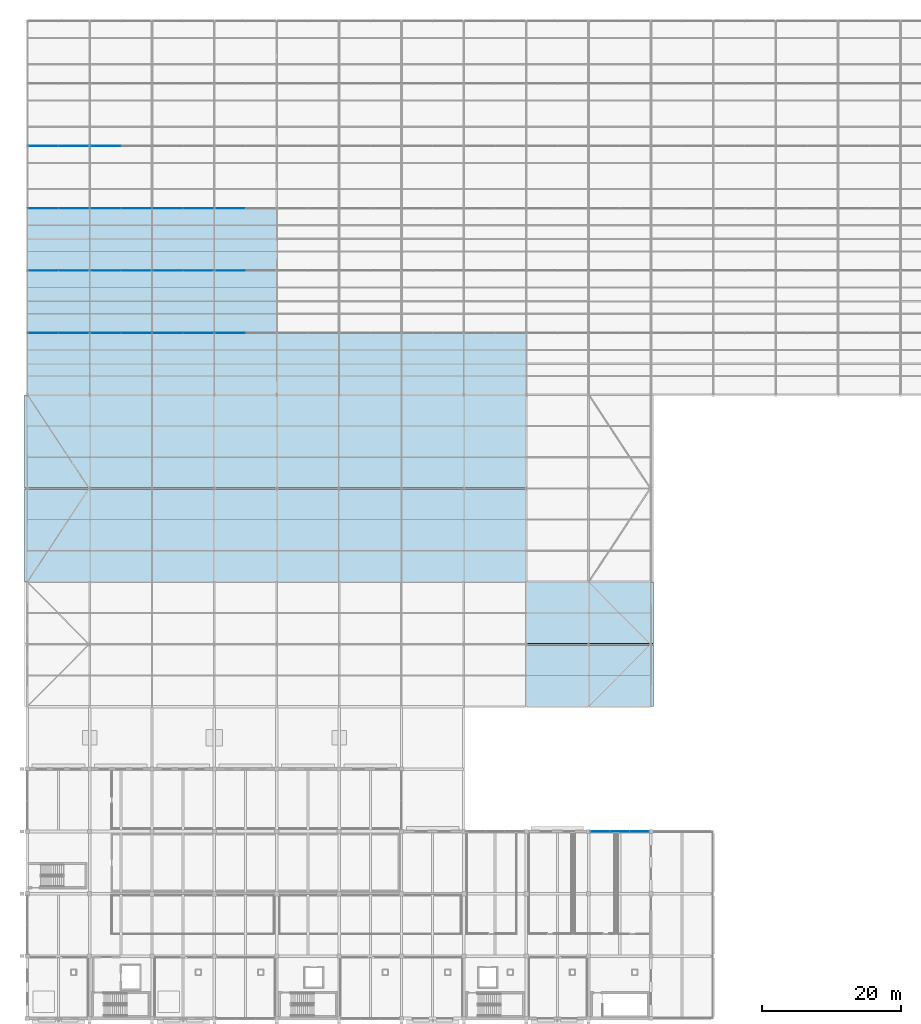
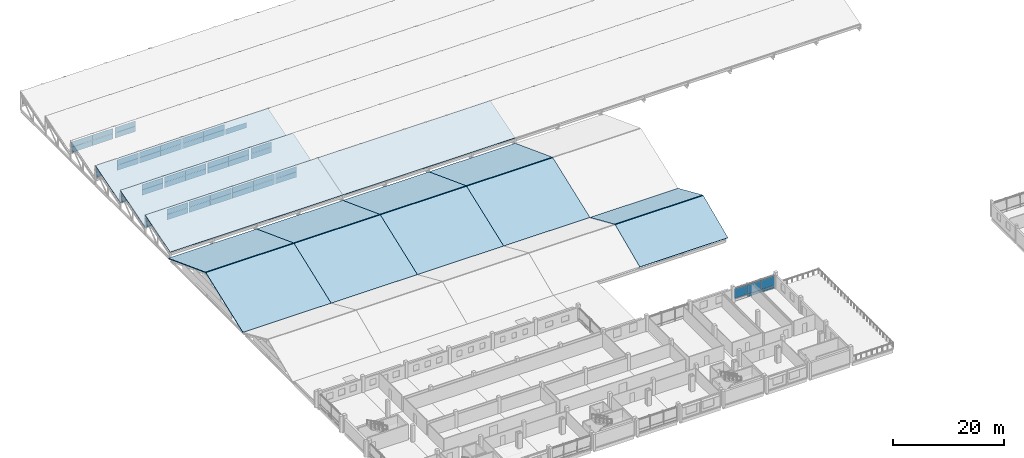
# One storey, part 109 of 163: 52 plates, 14 slabs, 15 elements without a shape of their own.
"""IFC4 building model written with IfcOpenShell, lengths in metres."""

from ifc_helpers import new_model, si_unit, direction, frame, origin, origin_2d, place, context, subcontext, project, spatial, polyline, rectangle, outline, extrude, material, layer, layer_set, type_object, element, aggregate, save


model = new_model("IFC4")

# Units and contexts
model_context = context("Model", 3, precision=1e-05, world=origin(), true_north=direction((0.0, 1.0)))
body_context = subcontext(model_context, "Body", "Model", "MODEL_VIEW")
ifc_project = project(units=[si_unit("LENGTHUNIT", "METRE"), si_unit("AREAUNIT", "SQUARE_METRE"), si_unit("VOLUMEUNIT", "CUBIC_METRE"), si_unit("PLANEANGLEUNIT", "RADIAN"), si_unit("MASSUNIT", "GRAM", prefix="KILO")], contexts=[model_context])

# Site, building, storey
site_placement = place(None, origin())
site = spatial("IfcSite", under=ifc_project, at=site_placement, CompositionType="ELEMENT")
building_placement = place(site_placement, origin())
building = spatial("IfcBuilding", under=site, at=building_placement, Name="Tharagai Park Tramway Depot", CompositionType="ELEMENT")
storey_placement = place(building_placement, frame((0.0, 0.0, 8.39990234375)))
storey = spatial("IfcBuildingStorey", under=building, at=storey_placement, Name="L02", CompositionType="ELEMENT", Elevation=8.39990234375)

# Curtain wall, plates
ifc_material_1 = material(Name="Anodised aluminium", Category="aluminium")
curtain_wall_type_1 = type_object("IfcCurtainWallType", Name="CW-02", PredefinedType="NOTDEFINED", material=ifc_material_1)
curtain_wall_1_placement = place(storey_placement, origin())
curtain_wall_1 = element("IfcCurtainWall", 1, at=curtain_wall_1_placement, inside=storey, type_object=curtain_wall_type_1, Name="L02 V4 Gothic Mullioned Curtain Wall CW-02", PredefinedType="NOTDEFINED")
ifc_layer_1 = layer(ifc_material_1, 0.0400390625)
ifc_layer_set_1 = layer_set([ifc_layer_1], Name="Anodised aluminium")
plate_type_1 = type_object("IfcPlateType", Name="CP-01", PredefinedType="CURTAIN_PANEL", material=ifc_layer_set_1)
plate_1_placement = place(storey_placement, frame((85.5, 27.0, 0.080078125), z_axis=(0.0, 0.0, 1.0), x_axis=(1.0, 0.0, 0.0)))
plate_1 = element("IfcPlate", 2, at=plate_1_placement, type_object=plate_type_1, Name="L02 V4 Gothic Mullioned Curtain Wall Spandrel Panel 2.1", PredefinedType="CURTAIN_PANEL", context=body_context, shape_type="SweptSolid", body=[
    extrude(rectangle(XDim=2.78662109375, YDim=0.0400390625, at=origin_2d()), origin(), (0.0, 0.0, 1.0), 0.550048828125),
])
plate_2_placement = place(storey_placement, frame((88.306640625, 27.0, 0.080078125), z_axis=(0.0, 0.0, 1.0), x_axis=(1.0, 0.0, 0.0)))
plate_2 = element("IfcPlate", 3, at=plate_2_placement, type_object=plate_type_1, Name="L02 V4 Gothic Mullioned Curtain Wall Spandrel Panel 3.1", PredefinedType="CURTAIN_PANEL", context=body_context, shape_type="SweptSolid", body=[
    extrude(rectangle(XDim=2.78662109375, YDim=0.0400390625, at=origin_2d()), origin(), (0.0, 0.0, 1.0), 0.550048828125),
])

curtain_wall_type_2 = type_object("IfcCurtainWallType", Name="CW-04", PredefinedType="NOTDEFINED", material=ifc_material_1)
curtain_wall_2_placement = place(storey_placement, origin())
curtain_wall_2 = element("IfcCurtainWall", 4, at=curtain_wall_2_placement, inside=storey, type_object=curtain_wall_type_2, Name="Sawtooth North-Light Clerestory CW-04", PredefinedType="NOTDEFINED")
ifc_material_2 = material(Name="Laminated solar-control glass", Category="glass")
ifc_layer_2 = layer(ifc_material_2, 0.028076171875)
ifc_layer_set_2 = layer_set([ifc_layer_2], Name="Laminated solar-control glass")
plate_type_2 = type_object("IfcPlateType", Name="CP-02", PredefinedType="CURTAIN_PANEL", material=ifc_layer_set_2)
plate_3_placement = place(storey_placement, frame((2.300048828125, 98.919921875, 1.28515625), z_axis=(0.0, 0.0, 1.0), x_axis=(1.0, 0.0, 0.0)))
plate_3 = element("IfcPlate", 5, at=plate_3_placement, type_object=plate_type_2, Name="Sawtooth North-Light Clerestory Glazed Panel 1.1", PredefinedType="CURTAIN_PANEL", context=body_context, shape_type="SweptSolid", body=[
    extrude(rectangle(XDim=4.3798828125, YDim=0.028076171875, at=origin_2d()), origin(), (0.0, 0.0, 1.0), 1.168701171875),
])
plate_4_placement = place(storey_placement, frame((2.300048828125, 98.919921875, 2.49365234375), z_axis=(0.0, 0.0, 1.0), x_axis=(1.0, 0.0, 0.0)))
plate_4 = element("IfcPlate", 6, at=plate_4_placement, type_object=plate_type_2, Name="Sawtooth North-Light Clerestory Glazed Panel 1.2", PredefinedType="CURTAIN_PANEL", context=body_context, shape_type="SweptSolid", body=[
    extrude(rectangle(XDim=4.3798828125, YDim=0.028076171875, at=origin_2d()), origin(), (0.0, 0.0, 1.0), 1.148681640625),
])
plate_5_placement = place(storey_placement, frame((6.699951171875, 98.919921875, 1.28515625), z_axis=(0.0, 0.0, 1.0), x_axis=(1.0, 0.0, 0.0)))
plate_5 = element("IfcPlate", 7, at=plate_5_placement, type_object=plate_type_2, Name="Sawtooth North-Light Clerestory Glazed Panel 2.1", PredefinedType="CURTAIN_PANEL", context=body_context, shape_type="SweptSolid", body=[
    extrude(rectangle(XDim=4.3798828125, YDim=0.028076171875, at=origin_2d()), origin(), (0.0, 0.0, 1.0), 1.168701171875),
])
plate_6_placement = place(storey_placement, frame((6.699951171875, 98.919921875, 2.49365234375), z_axis=(0.0, 0.0, 1.0), x_axis=(1.0, 0.0, 0.0)))
plate_6 = element("IfcPlate", 8, at=plate_6_placement, type_object=plate_type_2, Name="Sawtooth North-Light Clerestory Glazed Panel 2.2", PredefinedType="CURTAIN_PANEL", context=body_context, shape_type="SweptSolid", body=[
    extrude(rectangle(XDim=4.3798828125, YDim=0.028076171875, at=origin_2d()), origin(), (0.0, 0.0, 1.0), 1.148681640625),
])
aggregate(curtain_wall_2, [plate_3, plate_4, plate_5, plate_6])

curtain_wall_3_placement = place(storey_placement, origin())
curtain_wall_3 = element("IfcCurtainWall", 9, at=curtain_wall_3_placement, inside=storey, type_object=curtain_wall_type_2, Name="Sawtooth North-Light Clerestory CW-04", PredefinedType="NOTDEFINED")
plate_7_placement = place(storey_placement, frame((11.300048828125, 98.919921875, 1.28515625), z_axis=(0.0, 0.0, 1.0), x_axis=(1.0, 0.0, 0.0)))
plate_7 = element("IfcPlate", 10, at=plate_7_placement, type_object=plate_type_2, Name="Sawtooth North-Light Clerestory Glazed Panel 1.1", PredefinedType="CURTAIN_PANEL", context=body_context, shape_type="SweptSolid", body=[
    extrude(rectangle(XDim=4.3798828125, YDim=0.028076171875, at=origin_2d()), origin(), (0.0, 0.0, 1.0), 1.168701171875),
])
plate_8_placement = place(storey_placement, frame((11.300048828125, 98.919921875, 2.49365234375), z_axis=(0.0, 0.0, 1.0), x_axis=(1.0, 0.0, 0.0)))
plate_8 = element("IfcPlate", 11, at=plate_8_placement, type_object=plate_type_2, Name="Sawtooth North-Light Clerestory Glazed Panel 1.2", PredefinedType="CURTAIN_PANEL", context=body_context, shape_type="SweptSolid", body=[
    extrude(rectangle(XDim=4.3798828125, YDim=0.028076171875, at=origin_2d()), origin(), (0.0, 0.0, 1.0), 1.148681640625),
])
plate_9_placement = place(storey_placement, frame((15.699951171875, 98.919921875, 1.28515625), z_axis=(0.0, 0.0, 1.0), x_axis=(1.0, 0.0, 0.0)))
plate_9 = element("IfcPlate", 12, at=plate_9_placement, type_object=plate_type_2, Name="Sawtooth North-Light Clerestory Glazed Panel 2.1", PredefinedType="CURTAIN_PANEL", context=body_context, shape_type="SweptSolid", body=[
    extrude(rectangle(XDim=4.3798828125, YDim=0.028076171875, at=origin_2d()), origin(), (0.0, 0.0, 1.0), 1.168701171875),
])
plate_10_placement = place(storey_placement, frame((15.699951171875, 98.919921875, 2.49365234375), z_axis=(0.0, 0.0, 1.0), x_axis=(1.0, 0.0, 0.0)))
plate_10 = element("IfcPlate", 13, at=plate_10_placement, type_object=plate_type_2, Name="Sawtooth North-Light Clerestory Glazed Panel 2.2", PredefinedType="CURTAIN_PANEL", context=body_context, shape_type="SweptSolid", body=[
    extrude(rectangle(XDim=4.3798828125, YDim=0.028076171875, at=origin_2d()), origin(), (0.0, 0.0, 1.0), 1.148681640625),
])
aggregate(curtain_wall_3, [plate_7, plate_8, plate_9, plate_10])

curtain_wall_4_placement = place(storey_placement, origin())
curtain_wall_4 = element("IfcCurtainWall", 14, at=curtain_wall_4_placement, inside=storey, type_object=curtain_wall_type_2, Name="Sawtooth North-Light Clerestory CW-04", PredefinedType="NOTDEFINED")
plate_11_placement = place(storey_placement, frame((20.300048828125, 98.919921875, 1.28515625), z_axis=(0.0, 0.0, 1.0), x_axis=(1.0, 0.0, 0.0)))
plate_11 = element("IfcPlate", 15, at=plate_11_placement, type_object=plate_type_2, Name="Sawtooth North-Light Clerestory Glazed Panel 1.1", PredefinedType="CURTAIN_PANEL", context=body_context, shape_type="SweptSolid", body=[
    extrude(rectangle(XDim=4.3798828125, YDim=0.028076171875, at=origin_2d()), origin(), (0.0, 0.0, 1.0), 1.168701171875),
])
plate_12_placement = place(storey_placement, frame((20.300048828125, 98.919921875, 2.49365234375), z_axis=(0.0, 0.0, 1.0), x_axis=(1.0, 0.0, 0.0)))
plate_12 = element("IfcPlate", 16, at=plate_12_placement, type_object=plate_type_2, Name="Sawtooth North-Light Clerestory Glazed Panel 1.2", PredefinedType="CURTAIN_PANEL", context=body_context, shape_type="SweptSolid", body=[
    extrude(rectangle(XDim=4.3798828125, YDim=0.028076171875, at=origin_2d()), origin(), (0.0, 0.0, 1.0), 1.148681640625),
])
plate_13_placement = place(storey_placement, frame((24.699951171875, 98.919921875, 1.28515625), z_axis=(0.0, 0.0, 1.0), x_axis=(1.0, 0.0, 0.0)))
plate_13 = element("IfcPlate", 17, at=plate_13_placement, type_object=plate_type_2, Name="Sawtooth North-Light Clerestory Glazed Panel 2.1", PredefinedType="CURTAIN_PANEL", context=body_context, shape_type="SweptSolid", body=[
    extrude(rectangle(XDim=4.3798828125, YDim=0.028076171875, at=origin_2d()), origin(), (0.0, 0.0, 1.0), 1.168701171875),
])
plate_14_placement = place(storey_placement, frame((24.699951171875, 98.919921875, 2.49365234375), z_axis=(0.0, 0.0, 1.0), x_axis=(1.0, 0.0, 0.0)))
plate_14 = element("IfcPlate", 18, at=plate_14_placement, type_object=plate_type_2, Name="Sawtooth North-Light Clerestory Glazed Panel 2.2", PredefinedType="CURTAIN_PANEL", context=body_context, shape_type="SweptSolid", body=[
    extrude(rectangle(XDim=4.3798828125, YDim=0.028076171875, at=origin_2d()), origin(), (0.0, 0.0, 1.0), 1.148681640625),
])
aggregate(curtain_wall_4, [plate_11, plate_12, plate_13, plate_14])

curtain_wall_5_placement = place(storey_placement, origin())
curtain_wall_5 = element("IfcCurtainWall", 19, at=curtain_wall_5_placement, inside=storey, type_object=curtain_wall_type_2, Name="Sawtooth North-Light Clerestory CW-04", PredefinedType="NOTDEFINED")
plate_15_placement = place(storey_placement, frame((29.300048828125, 98.919921875, 1.28515625), z_axis=(0.0, 0.0, 1.0), x_axis=(1.0, 0.0, 0.0)))
plate_15 = element("IfcPlate", 20, at=plate_15_placement, type_object=plate_type_2, Name="Sawtooth North-Light Clerestory Glazed Panel 1.1", PredefinedType="CURTAIN_PANEL", context=body_context, shape_type="SweptSolid", body=[
    extrude(rectangle(XDim=4.3798828125, YDim=0.028076171875, at=origin_2d()), origin(), (0.0, 0.0, 1.0), 1.168701171875),
])
plate_16_placement = place(storey_placement, frame((29.300048828125, 98.919921875, 2.49365234375), z_axis=(0.0, 0.0, 1.0), x_axis=(1.0, 0.0, 0.0)))
plate_16 = element("IfcPlate", 21, at=plate_16_placement, type_object=plate_type_2, Name="Sawtooth North-Light Clerestory Glazed Panel 1.2", PredefinedType="CURTAIN_PANEL", context=body_context, shape_type="SweptSolid", body=[
    extrude(rectangle(XDim=4.3798828125, YDim=0.028076171875, at=origin_2d()), origin(), (0.0, 0.0, 1.0), 1.148681640625),
])
aggregate(curtain_wall_5, [plate_15, plate_16])

curtain_wall_type_3 = type_object("IfcCurtainWallType", Name="CW-03", PredefinedType="NOTDEFINED", material=ifc_material_1)
curtain_wall_6_placement = place(storey_placement, origin())
curtain_wall_6 = element("IfcCurtainWall", 22, at=curtain_wall_6_placement, inside=storey, type_object=curtain_wall_type_3, Name="Sawtooth North-Light Clerestory CW-03", PredefinedType="NOTDEFINED")
plate_17_placement = place(storey_placement, frame((2.340087890625, 107.919921875, 1.28515625), z_axis=(0.0, 0.0, 1.0), x_axis=(1.0, 0.0, 0.0)))
plate_17 = element("IfcPlate", 23, at=plate_17_placement, type_object=plate_type_2, Name="Sawtooth North-Light Clerestory Glazed Panel 1.1", PredefinedType="CURTAIN_PANEL", context=body_context, shape_type="SweptSolid", body=[
    extrude(rectangle(XDim=4.300048828125, YDim=0.028076171875, at=origin_2d()), origin(), (0.0, 0.0, 1.0), 1.168701171875),
])
plate_18_placement = place(storey_placement, frame((2.340087890625, 107.919921875, 2.49365234375), z_axis=(0.0, 0.0, 1.0), x_axis=(1.0, 0.0, 0.0)))
plate_18 = element("IfcPlate", 24, at=plate_18_placement, type_object=plate_type_2, Name="Sawtooth North-Light Clerestory Glazed Panel 1.2", PredefinedType="CURTAIN_PANEL", context=body_context, shape_type="SweptSolid", body=[
    extrude(rectangle(XDim=4.300048828125, YDim=0.028076171875, at=origin_2d()), origin(), (0.0, 0.0, 1.0), 1.148681640625),
])
plate_19_placement = place(storey_placement, frame((6.659912109375, 107.919921875, 1.28515625), z_axis=(0.0, 0.0, 1.0), x_axis=(1.0, 0.0, 0.0)))
plate_19 = element("IfcPlate", 25, at=plate_19_placement, type_object=plate_type_2, Name="Sawtooth North-Light Clerestory Glazed Panel 2.1", PredefinedType="CURTAIN_PANEL", context=body_context, shape_type="SweptSolid", body=[
    extrude(rectangle(XDim=4.300048828125, YDim=0.028076171875, at=origin_2d()), origin(), (0.0, 0.0, 1.0), 1.168701171875),
])
plate_20_placement = place(storey_placement, frame((6.659912109375, 107.919921875, 2.49365234375), z_axis=(0.0, 0.0, 1.0), x_axis=(1.0, 0.0, 0.0)))
plate_20 = element("IfcPlate", 26, at=plate_20_placement, type_object=plate_type_2, Name="Sawtooth North-Light Clerestory Glazed Panel 2.2", PredefinedType="CURTAIN_PANEL", context=body_context, shape_type="SweptSolid", body=[
    extrude(rectangle(XDim=4.300048828125, YDim=0.028076171875, at=origin_2d()), origin(), (0.0, 0.0, 1.0), 1.148681640625),
])
aggregate(curtain_wall_6, [plate_17, plate_18, plate_19, plate_20])

curtain_wall_7_placement = place(storey_placement, origin())
curtain_wall_7 = element("IfcCurtainWall", 27, at=curtain_wall_7_placement, inside=storey, type_object=curtain_wall_type_3, Name="Sawtooth North-Light Clerestory CW-03", PredefinedType="NOTDEFINED")
plate_21_placement = place(storey_placement, frame((11.340087890625, 107.919921875, 1.28515625), z_axis=(0.0, 0.0, 1.0), x_axis=(1.0, 0.0, 0.0)))
plate_21 = element("IfcPlate", 28, at=plate_21_placement, type_object=plate_type_2, Name="Sawtooth North-Light Clerestory Glazed Panel 1.1", PredefinedType="CURTAIN_PANEL", context=body_context, shape_type="SweptSolid", body=[
    extrude(rectangle(XDim=4.300048828125, YDim=0.028076171875, at=origin_2d()), origin(), (0.0, 0.0, 1.0), 1.168701171875),
])
plate_22_placement = place(storey_placement, frame((11.340087890625, 107.919921875, 2.49365234375), z_axis=(0.0, 0.0, 1.0), x_axis=(1.0, 0.0, 0.0)))
plate_22 = element("IfcPlate", 29, at=plate_22_placement, type_object=plate_type_2, Name="Sawtooth North-Light Clerestory Glazed Panel 1.2", PredefinedType="CURTAIN_PANEL", context=body_context, shape_type="SweptSolid", body=[
    extrude(rectangle(XDim=4.300048828125, YDim=0.028076171875, at=origin_2d()), origin(), (0.0, 0.0, 1.0), 1.148681640625),
])
plate_23_placement = place(storey_placement, frame((15.659912109375, 107.919921875, 1.28515625), z_axis=(0.0, 0.0, 1.0), x_axis=(1.0, 0.0, 0.0)))
plate_23 = element("IfcPlate", 30, at=plate_23_placement, type_object=plate_type_2, Name="Sawtooth North-Light Clerestory Glazed Panel 2.1", PredefinedType="CURTAIN_PANEL", context=body_context, shape_type="SweptSolid", body=[
    extrude(rectangle(XDim=4.300048828125, YDim=0.028076171875, at=origin_2d()), origin(), (0.0, 0.0, 1.0), 1.168701171875),
])
plate_24_placement = place(storey_placement, frame((15.659912109375, 107.919921875, 2.49365234375), z_axis=(0.0, 0.0, 1.0), x_axis=(1.0, 0.0, 0.0)))
plate_24 = element("IfcPlate", 31, at=plate_24_placement, type_object=plate_type_2, Name="Sawtooth North-Light Clerestory Glazed Panel 2.2", PredefinedType="CURTAIN_PANEL", context=body_context, shape_type="SweptSolid", body=[
    extrude(rectangle(XDim=4.300048828125, YDim=0.028076171875, at=origin_2d()), origin(), (0.0, 0.0, 1.0), 1.148681640625),
])
aggregate(curtain_wall_7, [plate_21, plate_22, plate_23, plate_24])

curtain_wall_8_placement = place(storey_placement, origin())
curtain_wall_8 = element("IfcCurtainWall", 32, at=curtain_wall_8_placement, inside=storey, type_object=curtain_wall_type_3, Name="Sawtooth North-Light Clerestory CW-03", PredefinedType="NOTDEFINED")
plate_25_placement = place(storey_placement, frame((20.340087890625, 107.919921875, 1.28515625), z_axis=(0.0, 0.0, 1.0), x_axis=(1.0, 0.0, 0.0)))
plate_25 = element("IfcPlate", 33, at=plate_25_placement, type_object=plate_type_2, Name="Sawtooth North-Light Clerestory Glazed Panel 1.1", PredefinedType="CURTAIN_PANEL", context=body_context, shape_type="SweptSolid", body=[
    extrude(rectangle(XDim=4.300048828125, YDim=0.028076171875, at=origin_2d()), origin(), (0.0, 0.0, 1.0), 1.168701171875),
])
plate_26_placement = place(storey_placement, frame((20.340087890625, 107.919921875, 2.49365234375), z_axis=(0.0, 0.0, 1.0), x_axis=(1.0, 0.0, 0.0)))
plate_26 = element("IfcPlate", 34, at=plate_26_placement, type_object=plate_type_2, Name="Sawtooth North-Light Clerestory Glazed Panel 1.2", PredefinedType="CURTAIN_PANEL", context=body_context, shape_type="SweptSolid", body=[
    extrude(rectangle(XDim=4.300048828125, YDim=0.028076171875, at=origin_2d()), origin(), (0.0, 0.0, 1.0), 1.148681640625),
])
plate_27_placement = place(storey_placement, frame((24.659912109375, 107.919921875, 1.28515625), z_axis=(0.0, 0.0, 1.0), x_axis=(1.0, 0.0, 0.0)))
plate_27 = element("IfcPlate", 35, at=plate_27_placement, type_object=plate_type_2, Name="Sawtooth North-Light Clerestory Glazed Panel 2.1", PredefinedType="CURTAIN_PANEL", context=body_context, shape_type="SweptSolid", body=[
    extrude(rectangle(XDim=4.300048828125, YDim=0.028076171875, at=origin_2d()), origin(), (0.0, 0.0, 1.0), 1.168701171875),
])
plate_28_placement = place(storey_placement, frame((24.659912109375, 107.919921875, 2.49365234375), z_axis=(0.0, 0.0, 1.0), x_axis=(1.0, 0.0, 0.0)))
plate_28 = element("IfcPlate", 36, at=plate_28_placement, type_object=plate_type_2, Name="Sawtooth North-Light Clerestory Glazed Panel 2.2", PredefinedType="CURTAIN_PANEL", context=body_context, shape_type="SweptSolid", body=[
    extrude(rectangle(XDim=4.300048828125, YDim=0.028076171875, at=origin_2d()), origin(), (0.0, 0.0, 1.0), 1.148681640625),
])
aggregate(curtain_wall_8, [plate_25, plate_26, plate_27, plate_28])

curtain_wall_9_placement = place(storey_placement, origin())
curtain_wall_9 = element("IfcCurtainWall", 37, at=curtain_wall_9_placement, inside=storey, type_object=curtain_wall_type_3, Name="Sawtooth North-Light Clerestory CW-03", PredefinedType="NOTDEFINED")
plate_29_placement = place(storey_placement, frame((29.340087890625, 107.919921875, 1.28515625), z_axis=(0.0, 0.0, 1.0), x_axis=(1.0, 0.0, 0.0)))
plate_29 = element("IfcPlate", 38, at=plate_29_placement, type_object=plate_type_2, Name="Sawtooth North-Light Clerestory Glazed Panel 1.1", PredefinedType="CURTAIN_PANEL", context=body_context, shape_type="SweptSolid", body=[
    extrude(rectangle(XDim=4.300048828125, YDim=0.028076171875, at=origin_2d()), origin(), (0.0, 0.0, 1.0), 1.168701171875),
])
plate_30_placement = place(storey_placement, frame((29.340087890625, 107.919921875, 2.49365234375), z_axis=(0.0, 0.0, 1.0), x_axis=(1.0, 0.0, 0.0)))
plate_30 = element("IfcPlate", 39, at=plate_30_placement, type_object=plate_type_2, Name="Sawtooth North-Light Clerestory Glazed Panel 1.2", PredefinedType="CURTAIN_PANEL", context=body_context, shape_type="SweptSolid", body=[
    extrude(rectangle(XDim=4.300048828125, YDim=0.028076171875, at=origin_2d()), origin(), (0.0, 0.0, 1.0), 1.148681640625),
])
aggregate(curtain_wall_9, [plate_29, plate_30])

curtain_wall_10_placement = place(storey_placement, origin())
curtain_wall_10 = element("IfcCurtainWall", 40, at=curtain_wall_10_placement, inside=storey, type_object=curtain_wall_type_2, Name="Sawtooth North-Light Clerestory CW-04", PredefinedType="NOTDEFINED")
plate_31_placement = place(storey_placement, frame((2.300048828125, 116.919921875, 1.28515625), z_axis=(0.0, 0.0, 1.0), x_axis=(1.0, 0.0, 0.0)))
plate_31 = element("IfcPlate", 41, at=plate_31_placement, type_object=plate_type_2, Name="Sawtooth North-Light Clerestory Glazed Panel 1.1", PredefinedType="CURTAIN_PANEL", context=body_context, shape_type="SweptSolid", body=[
    extrude(rectangle(XDim=4.3798828125, YDim=0.028076171875, at=origin_2d()), origin(), (0.0, 0.0, 1.0), 1.168701171875),
])
plate_32_placement = place(storey_placement, frame((2.300048828125, 116.919921875, 2.49365234375), z_axis=(0.0, 0.0, 1.0), x_axis=(1.0, 0.0, 0.0)))
plate_32 = element("IfcPlate", 42, at=plate_32_placement, type_object=plate_type_2, Name="Sawtooth North-Light Clerestory Glazed Panel 1.2", PredefinedType="CURTAIN_PANEL", context=body_context, shape_type="SweptSolid", body=[
    extrude(rectangle(XDim=4.3798828125, YDim=0.028076171875, at=origin_2d()), origin(), (0.0, 0.0, 1.0), 1.148681640625),
])
plate_33_placement = place(storey_placement, frame((6.699951171875, 116.919921875, 1.28515625), z_axis=(0.0, 0.0, 1.0), x_axis=(1.0, 0.0, 0.0)))
plate_33 = element("IfcPlate", 43, at=plate_33_placement, type_object=plate_type_2, Name="Sawtooth North-Light Clerestory Glazed Panel 2.1", PredefinedType="CURTAIN_PANEL", context=body_context, shape_type="SweptSolid", body=[
    extrude(rectangle(XDim=4.3798828125, YDim=0.028076171875, at=origin_2d()), origin(), (0.0, 0.0, 1.0), 1.168701171875),
])
plate_34_placement = place(storey_placement, frame((6.699951171875, 116.919921875, 2.49365234375), z_axis=(0.0, 0.0, 1.0), x_axis=(1.0, 0.0, 0.0)))
plate_34 = element("IfcPlate", 44, at=plate_34_placement, type_object=plate_type_2, Name="Sawtooth North-Light Clerestory Glazed Panel 2.2", PredefinedType="CURTAIN_PANEL", context=body_context, shape_type="SweptSolid", body=[
    extrude(rectangle(XDim=4.3798828125, YDim=0.028076171875, at=origin_2d()), origin(), (0.0, 0.0, 1.0), 1.148681640625),
])
aggregate(curtain_wall_10, [plate_31, plate_32, plate_33, plate_34])

curtain_wall_11_placement = place(storey_placement, origin())
curtain_wall_11 = element("IfcCurtainWall", 45, at=curtain_wall_11_placement, inside=storey, type_object=curtain_wall_type_2, Name="Sawtooth North-Light Clerestory CW-04", PredefinedType="NOTDEFINED")
plate_35_placement = place(storey_placement, frame((11.300048828125, 116.919921875, 1.28515625), z_axis=(0.0, 0.0, 1.0), x_axis=(1.0, 0.0, 0.0)))
plate_35 = element("IfcPlate", 46, at=plate_35_placement, type_object=plate_type_2, Name="Sawtooth North-Light Clerestory Glazed Panel 1.1", PredefinedType="CURTAIN_PANEL", context=body_context, shape_type="SweptSolid", body=[
    extrude(rectangle(XDim=4.3798828125, YDim=0.028076171875, at=origin_2d()), origin(), (0.0, 0.0, 1.0), 1.168701171875),
])
plate_36_placement = place(storey_placement, frame((11.300048828125, 116.919921875, 2.49365234375), z_axis=(0.0, 0.0, 1.0), x_axis=(1.0, 0.0, 0.0)))
plate_36 = element("IfcPlate", 47, at=plate_36_placement, type_object=plate_type_2, Name="Sawtooth North-Light Clerestory Glazed Panel 1.2", PredefinedType="CURTAIN_PANEL", context=body_context, shape_type="SweptSolid", body=[
    extrude(rectangle(XDim=4.3798828125, YDim=0.028076171875, at=origin_2d()), origin(), (0.0, 0.0, 1.0), 1.148681640625),
])
plate_37_placement = place(storey_placement, frame((15.699951171875, 116.919921875, 1.28515625), z_axis=(0.0, 0.0, 1.0), x_axis=(1.0, 0.0, 0.0)))
plate_37 = element("IfcPlate", 48, at=plate_37_placement, type_object=plate_type_2, Name="Sawtooth North-Light Clerestory Glazed Panel 2.1", PredefinedType="CURTAIN_PANEL", context=body_context, shape_type="SweptSolid", body=[
    extrude(rectangle(XDim=4.3798828125, YDim=0.028076171875, at=origin_2d()), origin(), (0.0, 0.0, 1.0), 1.168701171875),
])
plate_38_placement = place(storey_placement, frame((15.699951171875, 116.919921875, 2.49365234375), z_axis=(0.0, 0.0, 1.0), x_axis=(1.0, 0.0, 0.0)))
plate_38 = element("IfcPlate", 49, at=plate_38_placement, type_object=plate_type_2, Name="Sawtooth North-Light Clerestory Glazed Panel 2.2", PredefinedType="CURTAIN_PANEL", context=body_context, shape_type="SweptSolid", body=[
    extrude(rectangle(XDim=4.3798828125, YDim=0.028076171875, at=origin_2d()), origin(), (0.0, 0.0, 1.0), 1.148681640625),
])
aggregate(curtain_wall_11, [plate_35, plate_36, plate_37, plate_38])

curtain_wall_12_placement = place(storey_placement, origin())
curtain_wall_12 = element("IfcCurtainWall", 50, at=curtain_wall_12_placement, inside=storey, type_object=curtain_wall_type_2, Name="Sawtooth North-Light Clerestory CW-04", PredefinedType="NOTDEFINED")
plate_39_placement = place(storey_placement, frame((20.300048828125, 116.919921875, 1.28515625), z_axis=(0.0, 0.0, 1.0), x_axis=(1.0, 0.0, 0.0)))
plate_39 = element("IfcPlate", 51, at=plate_39_placement, type_object=plate_type_2, Name="Sawtooth North-Light Clerestory Glazed Panel 1.1", PredefinedType="CURTAIN_PANEL", context=body_context, shape_type="SweptSolid", body=[
    extrude(rectangle(XDim=4.3798828125, YDim=0.028076171875, at=origin_2d()), origin(), (0.0, 0.0, 1.0), 1.168701171875),
])
plate_40_placement = place(storey_placement, frame((20.300048828125, 116.919921875, 2.49365234375), z_axis=(0.0, 0.0, 1.0), x_axis=(1.0, 0.0, 0.0)))
plate_40 = element("IfcPlate", 52, at=plate_40_placement, type_object=plate_type_2, Name="Sawtooth North-Light Clerestory Glazed Panel 1.2", PredefinedType="CURTAIN_PANEL", context=body_context, shape_type="SweptSolid", body=[
    extrude(rectangle(XDim=4.3798828125, YDim=0.028076171875, at=origin_2d()), origin(), (0.0, 0.0, 1.0), 1.148681640625),
])
plate_41_placement = place(storey_placement, frame((24.699951171875, 116.919921875, 1.28515625), z_axis=(0.0, 0.0, 1.0), x_axis=(1.0, 0.0, 0.0)))
plate_41 = element("IfcPlate", 53, at=plate_41_placement, type_object=plate_type_2, Name="Sawtooth North-Light Clerestory Glazed Panel 2.1", PredefinedType="CURTAIN_PANEL", context=body_context, shape_type="SweptSolid", body=[
    extrude(rectangle(XDim=4.3798828125, YDim=0.028076171875, at=origin_2d()), origin(), (0.0, 0.0, 1.0), 1.168701171875),
])
plate_42_placement = place(storey_placement, frame((24.699951171875, 116.919921875, 2.49365234375), z_axis=(0.0, 0.0, 1.0), x_axis=(1.0, 0.0, 0.0)))
plate_42 = element("IfcPlate", 54, at=plate_42_placement, type_object=plate_type_2, Name="Sawtooth North-Light Clerestory Glazed Panel 2.2", PredefinedType="CURTAIN_PANEL", context=body_context, shape_type="SweptSolid", body=[
    extrude(rectangle(XDim=4.3798828125, YDim=0.028076171875, at=origin_2d()), origin(), (0.0, 0.0, 1.0), 1.148681640625),
])
aggregate(curtain_wall_12, [plate_39, plate_40, plate_41, plate_42])

# Curtain wall, plate
curtain_wall_13_placement = place(storey_placement, origin())
curtain_wall_13 = element("IfcCurtainWall", 55, at=curtain_wall_13_placement, inside=storey, type_object=curtain_wall_type_2, Name="Sawtooth North-Light Clerestory CW-04", PredefinedType="NOTDEFINED")
plate_43_placement = place(storey_placement, frame((29.300048828125, 116.919921875, 1.28515625), z_axis=(0.0, 0.0, 1.0), x_axis=(1.0, 0.0, 0.0)))
plate_43 = element("IfcPlate", 56, at=plate_43_placement, type_object=plate_type_2, Name="Sawtooth North-Light Clerestory Glazed Panel 1.1", PredefinedType="CURTAIN_PANEL", context=body_context, shape_type="SweptSolid", body=[
    extrude(rectangle(XDim=4.3798828125, YDim=0.028076171875, at=origin_2d()), origin(), (0.0, 0.0, 1.0), 1.168701171875),
])
aggregate(curtain_wall_13, [plate_43])

# Curtain wall, plates
curtain_wall_14_placement = place(storey_placement, origin())
curtain_wall_14 = element("IfcCurtainWall", 57, at=curtain_wall_14_placement, inside=storey, type_object=curtain_wall_type_3, Name="Sawtooth North-Light Clerestory CW-03", PredefinedType="NOTDEFINED")
plate_44_placement = place(storey_placement, frame((2.340087890625, 125.919921875, 1.28515625), z_axis=(0.0, 0.0, 1.0), x_axis=(1.0, 0.0, 0.0)))
plate_44 = element("IfcPlate", 58, at=plate_44_placement, type_object=plate_type_2, Name="Sawtooth North-Light Clerestory Glazed Panel 1.1", PredefinedType="CURTAIN_PANEL", context=body_context, shape_type="SweptSolid", body=[
    extrude(rectangle(XDim=4.300048828125, YDim=0.028076171875, at=origin_2d()), origin(), (0.0, 0.0, 1.0), 1.168701171875),
])
plate_45_placement = place(storey_placement, frame((2.340087890625, 125.919921875, 2.49365234375), z_axis=(0.0, 0.0, 1.0), x_axis=(1.0, 0.0, 0.0)))
plate_45 = element("IfcPlate", 59, at=plate_45_placement, type_object=plate_type_2, Name="Sawtooth North-Light Clerestory Glazed Panel 1.2", PredefinedType="CURTAIN_PANEL", context=body_context, shape_type="SweptSolid", body=[
    extrude(rectangle(XDim=4.300048828125, YDim=0.028076171875, at=origin_2d()), origin(), (0.0, 0.0, 1.0), 1.148681640625),
])
plate_46_placement = place(storey_placement, frame((6.659912109375, 125.919921875, 1.28515625), z_axis=(0.0, 0.0, 1.0), x_axis=(1.0, 0.0, 0.0)))
plate_46 = element("IfcPlate", 60, at=plate_46_placement, type_object=plate_type_2, Name="Sawtooth North-Light Clerestory Glazed Panel 2.1", PredefinedType="CURTAIN_PANEL", context=body_context, shape_type="SweptSolid", body=[
    extrude(rectangle(XDim=4.300048828125, YDim=0.028076171875, at=origin_2d()), origin(), (0.0, 0.0, 1.0), 1.168701171875),
])
plate_47_placement = place(storey_placement, frame((6.659912109375, 125.919921875, 2.49365234375), z_axis=(0.0, 0.0, 1.0), x_axis=(1.0, 0.0, 0.0)))
plate_47 = element("IfcPlate", 61, at=plate_47_placement, type_object=plate_type_2, Name="Sawtooth North-Light Clerestory Glazed Panel 2.2", PredefinedType="CURTAIN_PANEL", context=body_context, shape_type="SweptSolid", body=[
    extrude(rectangle(XDim=4.300048828125, YDim=0.028076171875, at=origin_2d()), origin(), (0.0, 0.0, 1.0), 1.148681640625),
])
aggregate(curtain_wall_14, [plate_44, plate_45, plate_46, plate_47])

curtain_wall_15_placement = place(storey_placement, origin())
curtain_wall_15 = element("IfcCurtainWall", 62, at=curtain_wall_15_placement, inside=storey, type_object=curtain_wall_type_3, Name="Sawtooth North-Light Clerestory CW-03", PredefinedType="NOTDEFINED")
plate_48_placement = place(storey_placement, frame((11.340087890625, 125.919921875, 1.28515625), z_axis=(0.0, 0.0, 1.0), x_axis=(1.0, 0.0, 0.0)))
plate_48 = element("IfcPlate", 63, at=plate_48_placement, type_object=plate_type_2, Name="Sawtooth North-Light Clerestory Glazed Panel 1.1", PredefinedType="CURTAIN_PANEL", context=body_context, shape_type="SweptSolid", body=[
    extrude(rectangle(XDim=4.300048828125, YDim=0.028076171875, at=origin_2d()), origin(), (0.0, 0.0, 1.0), 1.168701171875),
])
plate_49_placement = place(storey_placement, frame((11.340087890625, 125.919921875, 2.49365234375), z_axis=(0.0, 0.0, 1.0), x_axis=(1.0, 0.0, 0.0)))
plate_49 = element("IfcPlate", 64, at=plate_49_placement, type_object=plate_type_2, Name="Sawtooth North-Light Clerestory Glazed Panel 1.2", PredefinedType="CURTAIN_PANEL", context=body_context, shape_type="SweptSolid", body=[
    extrude(rectangle(XDim=4.300048828125, YDim=0.028076171875, at=origin_2d()), origin(), (0.0, 0.0, 1.0), 1.148681640625),
])
aggregate(curtain_wall_15, [plate_48, plate_49])

# Plate
plate_50_placement = place(storey_placement, frame((82.693359375, 27.0, 0.669921875), z_axis=(0.0, 0.0, 1.0), x_axis=(1.0, 0.0, 0.0)))
plate_50 = element("IfcPlate", 65, at=plate_50_placement, type_object=plate_type_2, Name="L02 V4 Gothic Mullioned Curtain Wall Glazed Panel 1.2", PredefinedType="CURTAIN_PANEL", context=body_context, shape_type="SweptSolid", body=[
    extrude(rectangle(XDim=2.78662109375, YDim=0.028076171875, at=origin_2d()), origin(), (0.0, 0.0, 1.0), 2.139892578125),
])

plate_51_placement = place(storey_placement, frame((85.5, 27.0, 0.669921875), z_axis=(0.0, 0.0, 1.0), x_axis=(1.0, 0.0, 0.0)))
plate_51 = element("IfcPlate", 66, at=plate_51_placement, type_object=plate_type_2, Name="L02 V4 Gothic Mullioned Curtain Wall Glazed Panel 2.2", PredefinedType="CURTAIN_PANEL", context=body_context, shape_type="SweptSolid", body=[
    extrude(rectangle(XDim=2.78662109375, YDim=0.028076171875, at=origin_2d()), origin(), (0.0, 0.0, 1.0), 2.139892578125),
])

plate_52_placement = place(storey_placement, frame((88.306640625, 27.0, 0.669921875), z_axis=(0.0, 0.0, 1.0), x_axis=(1.0, 0.0, 0.0)))
plate_52 = element("IfcPlate", 67, at=plate_52_placement, type_object=plate_type_2, Name="L02 V4 Gothic Mullioned Curtain Wall Glazed Panel 3.2", PredefinedType="CURTAIN_PANEL", context=body_context, shape_type="SweptSolid", body=[
    extrude(rectangle(XDim=2.78662109375, YDim=0.028076171875, at=origin_2d()), origin(), (0.0, 0.0, 1.0), 2.139892578125),
])

aggregate(curtain_wall_1, [plate_50, plate_1, plate_51, plate_2, plate_52])

# Slabs
ifc_material_3 = material(Name="Concrete M35", Category="concrete")
ifc_layer_3 = layer(ifc_material_3, 0.169921875)
ifc_layer_set_3 = layer_set([ifc_layer_3], Name="Concrete M35")
slab_type_1 = type_object("IfcSlabType", Name="RS-02", PredefinedType="ROOF", material=ifc_layer_set_3)
for number, where, z_axis, x_axis, name in (
    (68, (72.0, 45.0, 0.0), (0.0, -0.402133189266, 0.915581180503), (1.0, 0.0, 0.0), "V2A South Pitched Roof Slab 5"),
    (69, (90.39990234375, 63.0, 0.0), (0.0, 0.402133189266, 0.915581180503), (-1.0, 0.0, 0.0), "V2A North Pitched Roof Slab 5"),
):
    element("IfcSlab", number, at=place(storey_placement, frame(where, z_axis=z_axis, x_axis=x_axis)), inside=storey, type_object=slab_type_1, Name=name, PredefinedType="ROOF", context=body_context, shape_type="SweptSolid", body=[
        extrude(outline(polyline([(0.0, 0.0), (18.39990234375, 0.0), (18.39990234375, 9.731427752244018), (0.0, 9.731427752244018), (0.0, 0.0)])), origin(), (0.0, 0.0, -1.0), 0.169921875),
    ])
for number, where, z_axis, x_axis, name in (
    (70, (-0.39990234375, 63.0, 0.0), (0.0, -0.352279017557, 0.935895022847), (1.0, 0.0, 0.0), "V2B South Pitched Roof Slab 1"),
    (71, (18.0, 90.0, 0.0), (0.0, 0.352279017557, 0.935895022847), (-1.0, 0.0, 0.0), "V2B North Pitched Roof Slab 1"),
):
    element("IfcSlab", number, at=place(storey_placement, frame(where, z_axis=z_axis, x_axis=x_axis)), inside=storey, type_object=slab_type_1, Name=name, PredefinedType="ROOF", context=body_context, shape_type="SweptSolid", body=[
        extrude(outline(polyline([(0.0, 0.0), (18.39990234375, 0.0), (18.39990234375, 14.328436183566225), (0.0, 14.328436183566225), (0.0, 0.0)])), origin(), (0.0, 0.0, -1.0), 0.169921875),
    ])
for number, where, z_axis, x_axis, name in (
    (72, (18.0, 63.0, 0.0), (0.0, -0.352279017557, 0.935895022847), (1.0, 0.0, 0.0), "V2B South Pitched Roof Slab 2"),
    (73, (36.0, 90.0, 0.0), (0.0, 0.352279017557, 0.935895022847), (-1.0, 0.0, 0.0), "V2B North Pitched Roof Slab 2"),
    (74, (36.0, 63.0, 0.0), (0.0, -0.352279017557, 0.935895022847), (1.0, 0.0, 0.0), "V2B South Pitched Roof Slab 3"),
    (75, (54.0, 90.0, 0.0), (0.0, 0.352279017557, 0.935895022847), (-1.0, 0.0, 0.0), "V2B North Pitched Roof Slab 3"),
    (76, (54.0, 63.0, 0.0), (0.0, -0.352279017557, 0.935895022847), (1.0, 0.0, 0.0), "V2B South Pitched Roof Slab 4"),
    (77, (72.0, 90.0, 0.0), (0.0, 0.352279017557, 0.935895022847), (-1.0, 0.0, 0.0), "V2B North Pitched Roof Slab 4"),
):
    element("IfcSlab", number, at=place(storey_placement, frame(where, z_axis=z_axis, x_axis=x_axis)), inside=storey, type_object=slab_type_1, Name=name, PredefinedType="ROOF", context=body_context, shape_type="SweptSolid", body=[
        extrude(outline(polyline([(0.0, 0.0), (18.0, 0.0), (18.0, 14.328436183566224), (0.0, 14.328436183566224), (0.0, 0.0)])), origin(), (0.0, 0.0, -1.0), 0.169921875),
    ])
ifc_layer_4 = layer(ifc_material_3, 0.159912109375)
ifc_layer_set_4 = layer_set([ifc_layer_4], Name="Concrete M35")
slab_type_2 = type_object("IfcSlabType", Name="RS-04", PredefinedType="ROOF", material=ifc_layer_set_4)
for number, where, z_axis, x_axis, name in (
    (78, (0.0, 90.0, 1.2001953125), (0.0, -0.289034229425, 0.95731876312), (1.0, 0.0, 0.0), "V1 Sawtooth Tooth 1 Sloped Roof Slab 1"),
    (79, (36.0, 90.0, 1.2001953125), (0.0, -0.289034229425, 0.95731876312), (1.0, 0.0, 0.0), "V1 Sawtooth Tooth 1 Sloped Roof Slab 2"),
    (80, (0.0, 99.0, 1.2001953125), (0.0, -0.289034229425, 0.95731876312), (1.0, 0.0, 0.0), "V1 Sawtooth Tooth 2 Sloped Roof Slab 1"),
    (81, (0.0, 108.0, 1.2001953125), (0.0, -0.289034229425, 0.95731876312), (1.0, 0.0, 0.0), "V1 Sawtooth Tooth 3 Sloped Roof Slab 1"),
):
    element("IfcSlab", number, at=place(storey_placement, frame(where, z_axis=z_axis, x_axis=x_axis)), inside=storey, type_object=slab_type_2, Name=name, PredefinedType="ROOF", context=body_context, shape_type="SweptSolid", body=[
        extrude(outline(polyline([(0.0, 0.0), (36.0, 0.0), (36.0, 9.401257289340432), (0.0, 9.401257289340432), (0.0, 0.0)])), origin(), (0.0, 0.0, -1.0), 0.159912109375),
    ])

save(model, "model.ifc")
